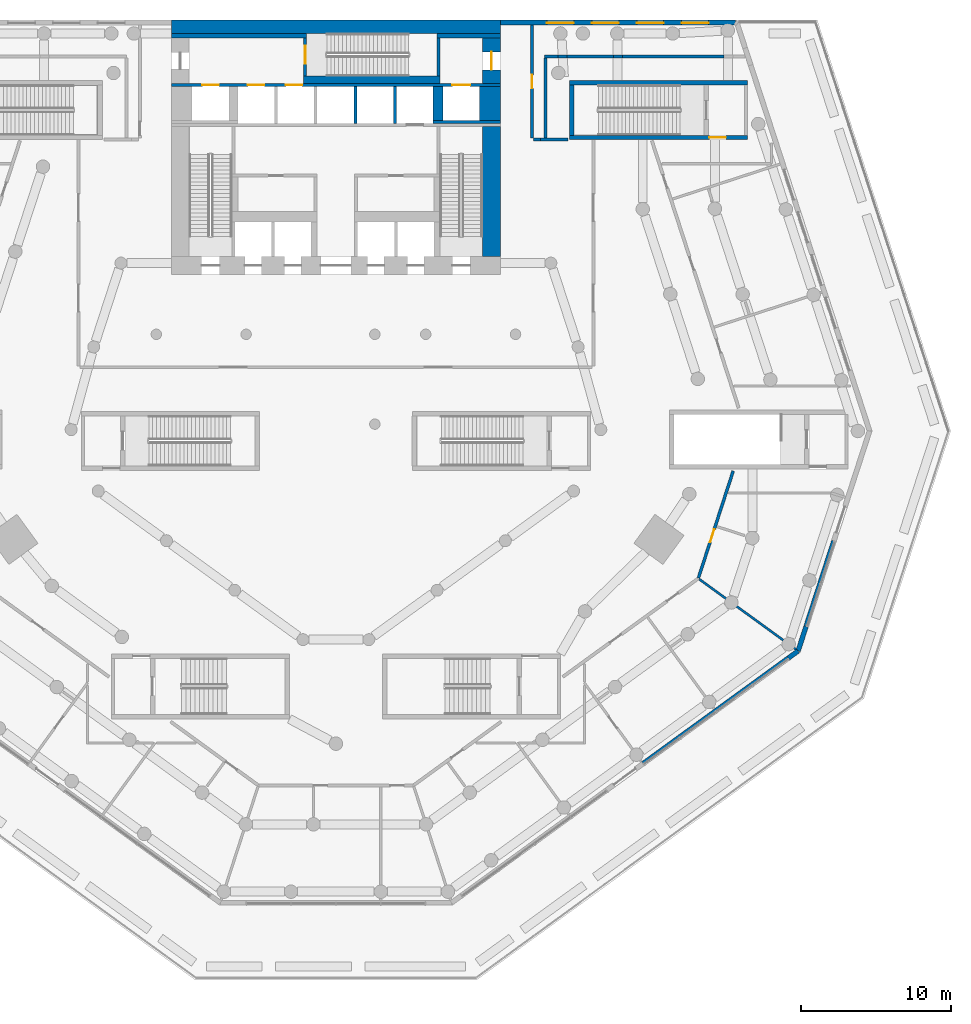
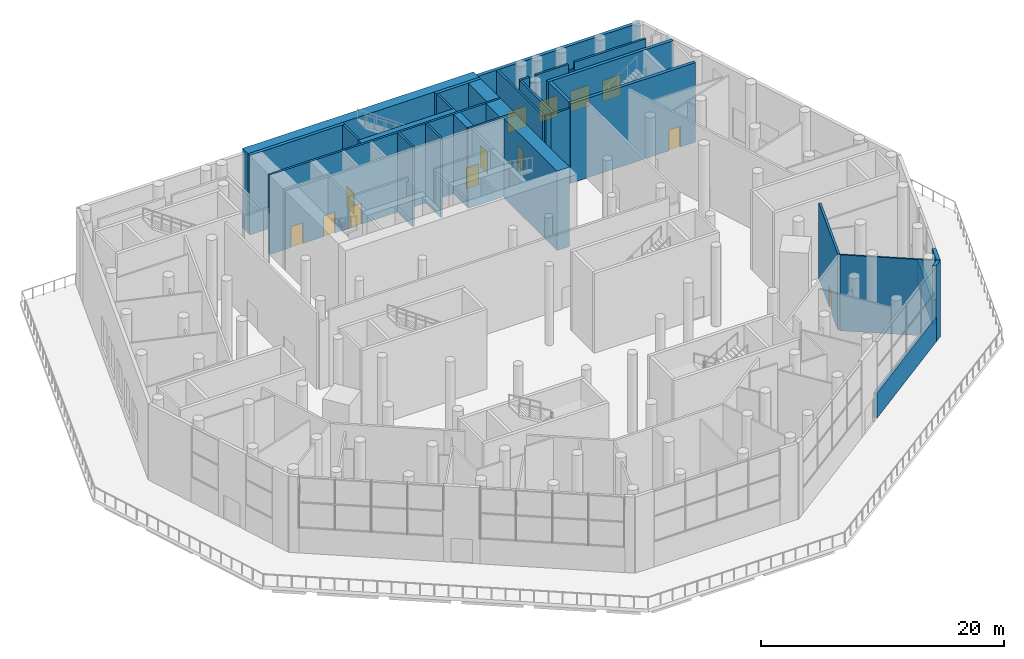
# One storey, part 15 of 23: 33 walls, 9 doors, 4 windows, 13 openings.
"""IFC4 building model written with IfcOpenShell, lengths in metres."""

from ifc_helpers import new_model, si_unit, direction, frame, frame_2d, origin, place, context, subcontext, project, spatial, rectangle, extrude, material, layer, layer_set, type_object, element, fill, save


model = new_model("IFC4")

# Units and contexts
model_context = context("Model", 3, precision=1e-05, world=origin(), true_north=direction((0.0, 1.0)))
body_context = subcontext(model_context, "Body", "Model", "MODEL_VIEW")
ifc_project = project(units=[si_unit("LENGTHUNIT", "METRE"), si_unit("AREAUNIT", "SQUARE_METRE"), si_unit("VOLUMEUNIT", "CUBIC_METRE"), si_unit("PLANEANGLEUNIT", "RADIAN"), si_unit("MASSUNIT", "GRAM", prefix="KILO")], contexts=[model_context])

# Site, building, storey
site_placement = place(None, origin())
site = spatial("IfcSite", under=ifc_project, at=site_placement, CompositionType="ELEMENT")
building_placement = place(site_placement, origin())
building = spatial("IfcBuilding", under=site, at=building_placement, Name="White Candle Pilgrim Tower", CompositionType="ELEMENT")
storey_placement = place(building_placement, frame((0.0, 0.0, 15.0)))
storey = spatial("IfcBuildingStorey", under=building, at=storey_placement, Name="L02", CompositionType="ELEMENT", Elevation=15.0)

# Walls
ifc_material_1 = material(Name="Autoclaved aerated block D500, plastered")
ifc_layer_1 = layer(ifc_material_1, 0.199951171875)
ifc_layer_set_1 = layer_set([ifc_layer_1], Name="Compartment wall 200 mm REI 240")
wall_type_1 = type_object("IfcWallType", Name="Compartment wall 200 mm REI 240", PredefinedType="PARTITIONING", material=ifc_layer_set_1)
wall_1_placement = place(storey_placement, frame((83.6669921875, 80.0, 0.0), z_axis=(0.0, 0.0, 1.0), x_axis=(1.0, 0.0, 0.0)))
element("IfcWall", 1, at=wall_1_placement, inside=storey, type_object=wall_type_1, Name="WL-L02-P067", PredefinedType="PARTITIONING", context=body_context, shape_type="SweptSolid", body=[
    extrude(rectangle(XDim=1.833984375, YDim=0.199951171875, at=frame_2d((0.9169921875, 0.0))), origin(), (0.0, 0.0, 1.0), 7.64990234375),
])
wall_2_placement = place(storey_placement, frame((95.92822265625, 85.550048828125, 0.0), z_axis=(0.0, 0.0, 1.0), x_axis=(-1.0, 0.0, 0.0)))
element("IfcWall", 2, at=wall_2_placement, inside=storey, type_object=wall_type_1, Name="WL-L02-P056b", PredefinedType="PARTITIONING", context=body_context, shape_type="SweptSolid", body=[
    extrude(rectangle(XDim=6.793212890625, YDim=0.199951171875, at=frame_2d((3.396484375, 0.0))), origin(), (0.0, 0.0, 1.0), 7.64990234375),
])
wall_3_placement = place(storey_placement, frame((89.135009765625, 85.550048828125, 0.0), z_axis=(0.0, 0.0, 1.0), x_axis=(-1.0, 0.0, 0.0)))
element("IfcWall", 3, at=wall_3_placement, inside=storey, type_object=wall_type_1, Name="WL-L02-P056c", PredefinedType="PARTITIONING", context=body_context, shape_type="SweptSolid", body=[
    extrude(rectangle(XDim=0.599609375, YDim=0.199951171875, at=frame_2d((0.2998046875, 0.0))), origin(), (0.0, 0.0, 1.0), 6.949951171875),
])
wall_4_placement = place(storey_placement, frame((88.535400390625, 85.550048828125, 0.0), z_axis=(0.0, 0.0, 1.0), x_axis=(-1.0, 0.0, 0.0)))
element("IfcWall", 4, at=wall_4_placement, inside=storey, type_object=wall_type_1, Name="WL-L02-P056d", PredefinedType="PARTITIONING", context=body_context, shape_type="SweptSolid", body=[
    extrude(rectangle(XDim=3.096923828125, YDim=0.199951171875, at=frame_2d((1.54833984375, 0.0))), origin(), (0.0, 0.0, 1.0), 7.64990234375),
])
wall_5_placement = place(storey_placement, frame((85.4384765625, 85.550048828125, 0.0), z_axis=(0.0, 0.0, 1.0), x_axis=(-1.0, 0.0, 0.0)))
element("IfcWall", 5, at=wall_5_placement, inside=storey, type_object=wall_type_1, Name="WL-L02-P056e", PredefinedType="PARTITIONING", context=body_context, shape_type="SweptSolid", body=[
    extrude(rectangle(XDim=0.599365234375, YDim=0.199951171875, at=frame_2d((0.2998046875, 0.0))), origin(), (0.0, 0.0, 1.0), 6.949951171875),
])
wall_6_placement = place(storey_placement, frame((84.839111328125, 85.550048828125, 0.0), z_axis=(0.0, 0.0, 1.0), x_axis=(-1.0, 0.0, 0.0)))
element("IfcWall", 6, at=wall_6_placement, inside=storey, type_object=wall_type_1, Name="WL-L02-P056f", PredefinedType="PARTITIONING", context=body_context, shape_type="SweptSolid", body=[
    extrude(rectangle(XDim=0.899169921875, YDim=0.199951171875, at=frame_2d((0.44970703125, 0.0))), origin(), (0.0, 0.0, 1.0), 7.64990234375),
])
wall_7_placement = place(storey_placement, frame((84.0, 85.449951171875, 0.0), z_axis=(0.0, 0.0, 1.0), x_axis=(0.0, -1.0, 0.0)))
element("IfcWall", 7, at=wall_7_placement, inside=storey, type_object=wall_type_1, Name="WL-L02-P057", PredefinedType="PARTITIONING", context=body_context, shape_type="SweptSolid", body=[
    extrude(rectangle(XDim=5.349853515625, YDim=0.199951171875, at=frame_2d((2.6748046875, 0.0))), origin(), (0.0, 0.0, 1.0), 7.64990234375),
])

# Wall, opening, door
ifc_material_2 = material(Name="Concrete C70/85", Category="concrete")
ifc_layer_2 = layer(ifc_material_2, 1.199951171875)
ifc_layer_set_2 = layer_set([ifc_layer_2], Name="Core wall 1200 mm Concrete C70/85")
wall_type_2 = type_object("IfcWallType", Name="Core wall 1200 mm Concrete C70/85", PredefinedType="SHEAR", material=ifc_layer_set_2)
wall_8_placement = place(storey_placement, frame((80.39990234375, 83.75, 0.0), z_axis=(0.0, 0.0, 1.0), x_axis=(0.0, 1.0, 0.0)))
wall_8 = element("IfcWall", 8, at=wall_8_placement, inside=storey, type_object=wall_type_2, Name="WL-L02-C74", PredefinedType="SHEAR", context=body_context, shape_type="SweptSolid", body=[
    extrude(rectangle(XDim=3.050048828125, YDim=1.199951171875, at=frame_2d((1.52490234375, 0.0))), origin(), (0.0, 0.0, 1.0), 8.0),
])
opening_1_placement = place(wall_8_placement, frame((0.925048828125, 0.0, 0.0)))
opening_1 = element("IfcOpeningElement", 9, at=opening_1_placement, cuts=wall_8, Name="Opening L02-006", PredefinedType="OPENING", context=body_context, shape_type="SweptSolid", body=[
    extrude(rectangle(XDim=1.199951171875, YDim=2.10009765625, at=frame_2d((0.60009765625, 1.050048828125))), frame((0.0, 0.60986328125, 0.0), z_axis=(0.0, -1.0, 0.0), x_axis=(1.0, 0.0, 0.0)), (0.0, 0.0, 1.0), 1.219970703125),
])
ifc_material_3 = material(Name="Steel door leaf", Category="steel")
door_type_1 = type_object("IfcDoorType", Name="Fire door 1200 x 2100 EI 30", OperationType="NOTDEFINED", PredefinedType="DOOR", material=ifc_material_3)
door_1_placement = place(opening_1_placement, origin())
door_1 = element("IfcDoor", 10, at=door_1_placement, inside=storey, type_object=door_type_1, Name="Door L02-006", OperationType="SINGLE_SWING_RIGHT", OverallHeight=2.10009765625, OverallWidth=1.199951171875, PredefinedType="DOOR", context=body_context, shape_type="SweptSolid", body=[
    extrude(rectangle(XDim=1.199951171875, YDim=2.10009765625, at=frame_2d((0.60009765625, 1.050048828125))), frame((0.0, 0.02490234375, 0.0), z_axis=(0.0, -1.0, 0.0), x_axis=(1.0, 0.0, 0.0)), (0.0, 0.0, 1.0), 0.050048828125),
])
fill(opening_1, door_1)

# Walls
ifc_layer_3 = layer(ifc_material_2, 1.39990234375)
ifc_layer_set_3 = layer_set([ifc_layer_3], Name="Core wall 1400 mm Concrete C70/85")
wall_type_3 = type_object("IfcWallType", Name="Core wall 1400 mm Concrete C70/85", PredefinedType="SHEAR", material=ifc_layer_set_3)
wall_9_placement = place(storey_placement, frame((80.300048828125, 81.300048828125, 0.0), z_axis=(0.0, 0.0, 1.0), x_axis=(0.0, 1.0, 0.0)))
element("IfcWall", 11, at=wall_9_placement, inside=storey, type_object=wall_type_3, Name="WL-L02-C68", PredefinedType="SHEAR", context=body_context, shape_type="SweptSolid", body=[
    extrude(rectangle(XDim=2.25, YDim=1.39990234375, at=frame_2d((1.125, 0.0))), origin(), (0.0, 0.0, 1.0), 8.0),
])
ifc_layer_4 = layer(ifc_material_2, 0.199951171875)
ifc_layer_set_4 = layer_set([ifc_layer_4], Name="Core wall 200 mm Concrete C70/85")
wall_type_4 = type_object("IfcWallType", Name="Core wall 200 mm Concrete C70/85", PredefinedType="SHEAR", material=ifc_layer_set_4)
wall_10_placement = place(storey_placement, frame((76.5, 81.199951171875, 0.0), z_axis=(0.0, 0.0, 1.0), x_axis=(1.0, 0.0, 0.0)))
element("IfcWall", 12, at=wall_10_placement, inside=storey, type_object=wall_type_4, Name="WL-L02-C64", PredefinedType="SHEAR", context=body_context, shape_type="SweptSolid", body=[
    extrude(rectangle(XDim=4.5, YDim=0.199951171875, at=frame_2d((2.25, 0.0))), origin(), (0.0, 0.0, 1.0), 8.0),
])

# Wall, openings, doors
wall_11_placement = place(storey_placement, frame((59.0, 83.64990234375, 0.0), z_axis=(0.0, 0.0, 1.0), x_axis=(1.0, 0.0, 0.0)))
wall_11 = element("IfcWall", 13, at=wall_11_placement, inside=storey, type_object=wall_type_4, Name="WL-L02-C69", PredefinedType="SHEAR", context=body_context, shape_type="SweptSolid", body=[
    extrude(rectangle(XDim=22.0, YDim=0.199951171875, at=frame_2d((11.0, 0.0))), origin(), (0.0, 0.0, 1.0), 8.0),
])
opening_2_placement = place(wall_11_placement, frame((5.125, 0.0, 0.0)))
opening_2 = element("IfcOpeningElement", 14, at=opening_2_placement, cuts=wall_11, Name="Opening L02-023", PredefinedType="OPENING", context=body_context, shape_type="SweptSolid", body=[
    extrude(rectangle(XDim=1.10009765625, YDim=2.10009765625, at=frame_2d((0.550048828125, 1.050048828125))), frame((0.0, 0.10986328125, 0.0), z_axis=(0.0, -1.0, 0.0), x_axis=(1.0, 0.0, 0.0)), (0.0, 0.0, 1.0), 0.219970703125),
])
opening_3_placement = place(wall_11_placement, frame((7.64990234375, 0.0, 0.0)))
opening_3 = element("IfcOpeningElement", 15, at=opening_3_placement, cuts=wall_11, Name="Opening L02-024", PredefinedType="OPENING", context=body_context, shape_type="SweptSolid", body=[
    extrude(rectangle(XDim=1.10009765625, YDim=2.10009765625, at=frame_2d((0.550048828125, 1.050048828125))), frame((0.0, 0.10986328125, 0.0), z_axis=(0.0, -1.0, 0.0), x_axis=(1.0, 0.0, 0.0)), (0.0, 0.0, 1.0), 0.219970703125),
])
opening_4_placement = place(wall_11_placement, frame((18.77490234375, 0.0, 0.0)))
opening_4 = element("IfcOpeningElement", 16, at=opening_4_placement, cuts=wall_11, Name="Opening L02-030", PredefinedType="OPENING", context=body_context, shape_type="SweptSolid", body=[
    extrude(rectangle(XDim=1.199951171875, YDim=2.10009765625, at=frame_2d((0.60009765625, 1.050048828125))), frame((0.0, 0.10986328125, 0.0), z_axis=(0.0, -1.0, 0.0), x_axis=(1.0, 0.0, 0.0)), (0.0, 0.0, 1.0), 0.219970703125),
])
opening_5_placement = place(wall_11_placement, frame((2.074951171875, 0.0, 0.0)))
opening_5 = element("IfcOpeningElement", 17, at=opening_5_placement, cuts=wall_11, Name="Opening L02-031", PredefinedType="OPENING", context=body_context, shape_type="SweptSolid", body=[
    extrude(rectangle(XDim=1.10009765625, YDim=2.10009765625, at=frame_2d((0.550048828125, 1.050048828125))), frame((0.0, 0.10986328125, 0.0), z_axis=(0.0, -1.0, 0.0), x_axis=(1.0, 0.0, 0.0)), (0.0, 0.0, 1.0), 0.219970703125),
])
ifc_material_4 = material(Name="Stainless steel", Category="steel")
door_type_2 = type_object("IfcDoorType", Name="Lift landing door 1100 x 2100 EI 60", OperationType="DOUBLE_DOOR_SLIDING", PredefinedType="DOOR", material=ifc_material_4)
door_2_placement = place(opening_2_placement, origin())
door_2 = element("IfcDoor", 18, at=door_2_placement, inside=storey, type_object=door_type_2, Name="Door L02-023", OperationType="DOUBLE_DOOR_SLIDING", OverallHeight=2.10009765625, OverallWidth=1.10009765625, PredefinedType="DOOR", context=body_context, shape_type="SweptSolid", body=[
    extrude(rectangle(XDim=1.10009765625, YDim=2.10009765625, at=frame_2d((0.550048828125, 1.050048828125))), frame((0.0, 0.02490234375, 0.0), z_axis=(0.0, -1.0, 0.0), x_axis=(1.0, 0.0, 0.0)), (0.0, 0.0, 1.0), 0.050048828125),
])
fill(opening_2, door_2)
door_3_placement = place(opening_3_placement, origin())
door_3 = element("IfcDoor", 19, at=door_3_placement, inside=storey, type_object=door_type_2, Name="Door L02-024", OperationType="DOUBLE_DOOR_SLIDING", OverallHeight=2.10009765625, OverallWidth=1.10009765625, PredefinedType="DOOR", context=body_context, shape_type="SweptSolid", body=[
    extrude(rectangle(XDim=1.10009765625, YDim=2.10009765625, at=frame_2d((0.550048828125, 1.050048828125))), frame((0.0, 0.02490234375, 0.0), z_axis=(0.0, -1.0, 0.0), x_axis=(1.0, 0.0, 0.0)), (0.0, 0.0, 1.0), 0.050048828125),
])
fill(opening_3, door_3)
door_4_placement = place(opening_5_placement, origin())
door_4 = element("IfcDoor", 20, at=door_4_placement, inside=storey, type_object=door_type_2, Name="Door L02-031", OperationType="DOUBLE_DOOR_SLIDING", OverallHeight=2.10009765625, OverallWidth=1.10009765625, PredefinedType="DOOR", context=body_context, shape_type="SweptSolid", body=[
    extrude(rectangle(XDim=1.10009765625, YDim=2.10009765625, at=frame_2d((0.550048828125, 1.050048828125))), frame((0.0, 0.02490234375, 0.0), z_axis=(0.0, -1.0, 0.0), x_axis=(1.0, 0.0, 0.0)), (0.0, 0.0, 1.0), 0.050048828125),
])
fill(opening_5, door_4)
door_type_3 = type_object("IfcDoorType", Name="Lift landing door 1200 x 2100 E 60", OperationType="DOUBLE_DOOR_SLIDING", PredefinedType="DOOR", material=ifc_material_4)
door_5_placement = place(opening_4_placement, origin())
door_5 = element("IfcDoor", 21, at=door_5_placement, inside=storey, type_object=door_type_3, Name="Door L02-030", OperationType="DOUBLE_DOOR_SLIDING", OverallHeight=2.10009765625, OverallWidth=1.199951171875, PredefinedType="DOOR", context=body_context, shape_type="SweptSolid", body=[
    extrude(rectangle(XDim=1.199951171875, YDim=2.10009765625, at=frame_2d((0.60009765625, 1.050048828125))), frame((0.0, 0.02490234375, 0.0), z_axis=(0.0, -1.0, 0.0), x_axis=(1.0, 0.0, 0.0)), (0.0, 0.0, 1.0), 0.050048828125),
])
fill(opening_4, door_5)

# Wall, opening, door
ifc_material_5 = material(Name="Gypsum board on steel studs", Category="steel")
ifc_layer_5 = layer(ifc_material_5, 0.199951171875)
ifc_layer_set_5 = layer_set([ifc_layer_5], Name="Corridor wall 200 mm EI 45")
wall_type_5 = type_object("IfcWallType", Name="Corridor wall 200 mm EI 45", PredefinedType="PARTITIONING", material=ifc_layer_set_5)
wall_12_placement = place(storey_placement, frame((83.10009765625, 87.679931640625, 0.0), z_axis=(0.0, 0.0, 1.0), x_axis=(0.0, -1.0, 0.0)))
wall_12 = element("IfcWall", 22, at=wall_12_placement, inside=storey, type_object=wall_type_5, Name="WL-L02-P007", PredefinedType="PARTITIONING", context=body_context, shape_type="SweptSolid", body=[
    extrude(rectangle(XDim=7.579833984375, YDim=0.199951171875, at=frame_2d((3.7900390625, 0.0))), origin(), (0.0, 0.0, 1.0), 7.64990234375),
])
opening_6_placement = place(wall_12_placement, frame((3.340087890625, 0.0, 0.0)))
opening_6 = element("IfcOpeningElement", 23, at=opening_6_placement, cuts=wall_12, Name="Opening L02-126", PredefinedType="OPENING", context=body_context, shape_type="SweptSolid", body=[
    extrude(rectangle(XDim=0.89990234375, YDim=2.10009765625, at=frame_2d((0.449951171875, 1.050048828125))), frame((0.0, 0.10986328125, 0.0), z_axis=(0.0, -1.0, 0.0), x_axis=(1.0, 0.0, 0.0)), (0.0, 0.0, 1.0), 0.219970703125),
])
door_type_4 = type_object("IfcDoorType", Name="Fire door 900 x 2100 EI 30", OperationType="NOTDEFINED", PredefinedType="DOOR", material=ifc_material_3)
door_6_placement = place(opening_6_placement, origin())
door_6 = element("IfcDoor", 24, at=door_6_placement, inside=storey, type_object=door_type_4, Name="Door L02-126", OperationType="SINGLE_SWING_RIGHT", OverallHeight=2.10009765625, OverallWidth=0.89990234375, PredefinedType="DOOR", context=body_context, shape_type="SweptSolid", body=[
    extrude(rectangle(XDim=0.89990234375, YDim=2.10009765625, at=frame_2d((0.449951171875, 1.050048828125))), frame((0.0, 0.02490234375, 0.0), z_axis=(0.0, -1.0, 0.0), x_axis=(1.0, 0.0, 0.0)), (0.0, 0.0, 1.0), 0.050048828125),
])
fill(opening_6, door_6)

# Walls
wall_13_placement = place(storey_placement, frame((83.199951171875, 80.0, 0.0), z_axis=(0.0, 0.0, 1.0), x_axis=(1.0, 0.0, 0.0)))
element("IfcWall", 25, at=wall_13_placement, inside=storey, type_object=wall_type_5, Name="WL-L02-P008", PredefinedType="PARTITIONING", context=body_context, shape_type="SweptSolid", body=[
    extrude(rectangle(XDim=0.467041015625, YDim=0.199951171875, at=frame_2d((0.2333984375, 0.0))), origin(), (0.0, 0.0, 1.0), 7.64990234375),
])
ifc_material_6 = material(Name="Precast concrete C40/50", Category="concrete")
ifc_layer_6 = layer(ifc_material_6, 0.320068359375)
ifc_layer_set_6 = layer_set([ifc_layer_6], Name="Facade wall EW3 precast concrete C40/50 and stone-faced podium wall")
wall_type_6 = type_object("IfcWallType", Name="Facade wall EW3 precast concrete C40/50 and stone-faced podium wall", PredefinedType="SOLIDWALL", material=ifc_layer_set_6)
wall_14_placement = place(storey_placement, frame((90.516357421875, 38.3134765625, 0.0), z_axis=(0.0, 0.0, 1.0), x_axis=(0.809016642472, 0.587785736645, 0.0)))
element("IfcWall", 26, at=wall_14_placement, inside=storey, type_object=wall_type_6, Name="Sill wall L02 SE", PredefinedType="SOLIDWALL", context=body_context, shape_type="SweptSolid", body=[
    extrude(rectangle(XDim=12.0, YDim=0.320068359375, at=frame_2d((6.0, 0.0))), origin(), (0.0, 0.0, 1.0), 2.5),
])
wall_15_placement = place(storey_placement, frame((100.224609375, 45.366943359375, 0.0), z_axis=(0.0, 0.0, 1.0), x_axis=(0.808957761835, 0.587866770252, 0.0)))
element("IfcWall", 27, at=wall_15_placement, inside=storey, type_object=wall_type_6, Name="Facade wall L02 SE", PredefinedType="SOLIDWALL", context=body_context, shape_type="SweptSolid", body=[
    extrude(rectangle(XDim=0.809326171875, YDim=0.320068359375, at=frame_2d((0.40478515625, 0.0))), origin(), (0.0, 0.0, 1.0), 7.64990234375),
])
wall_16_placement = place(storey_placement, frame((100.87939453125, 45.8427734375, 0.0), z_axis=(0.0, 0.0, 1.0), x_axis=(0.309006126888, 0.951060047287, 0.0)))
element("IfcWall", 28, at=wall_16_placement, inside=storey, type_object=wall_type_6, Name="Facade wall L02 E chamfer", PredefinedType="SOLIDWALL", context=body_context, shape_type="SweptSolid", body=[
    extrude(rectangle(XDim=1.726318359375, YDim=0.320068359375, at=frame_2d((0.86328125, 0.0))), origin(), (0.0, 0.0, 1.0), 7.64990234375),
])
wall_17_placement = place(storey_placement, frame((101.412841796875, 47.484619140625, 0.0), z_axis=(0.0, 0.0, 1.0), x_axis=(0.309004184009, 0.95106067854, 0.0)))
element("IfcWall", 29, at=wall_17_placement, inside=storey, type_object=wall_type_6, Name="Sill wall L02 E chamfer", PredefinedType="SOLIDWALL", context=body_context, shape_type="SweptSolid", body=[
    extrude(rectangle(XDim=6.0, YDim=0.320068359375, at=frame_2d((3.0, 0.0))), origin(), (0.0, 0.0, 1.0), 2.5),
])

# Wall, openings, windows
wall_18_placement = place(storey_placement, frame((96.69677734375, 87.840087890625, 0.0), z_axis=(0.0, 0.0, 1.0), x_axis=(-1.0, 0.0, 0.0)))
wall_18 = element("IfcWall", 30, at=wall_18_placement, inside=storey, type_object=wall_type_6, Name="Facade wall L02 N", PredefinedType="SOLIDWALL", context=body_context, shape_type="SweptSolid", body=[
    extrude(rectangle(XDim=15.69677734375, YDim=0.320068359375, at=frame_2d((7.848388671875, 0.0))), origin(), (0.0, 0.0, 1.0), 7.64990234375),
])
opening_7_placement = place(wall_18_placement, frame((1.796630859375, 0.0, 0.89990234375)))
opening_7 = element("IfcOpeningElement", 31, at=opening_7_placement, cuts=wall_18, Name="Opening W8", PredefinedType="OPENING", context=body_context, shape_type="SweptSolid", body=[
    extrude(rectangle(XDim=1.800048828125, YDim=2.10009765625, at=frame_2d((0.89990234375, 1.050048828125))), frame((0.0, 0.169921875, 0.0), z_axis=(0.0, -1.0, 0.0), x_axis=(1.0, 0.0, 0.0)), (0.0, 0.0, 1.0), 0.340087890625),
])
opening_8_placement = place(wall_18_placement, frame((4.796630859375, 0.0, 0.89990234375)))
opening_8 = element("IfcOpeningElement", 32, at=opening_8_placement, cuts=wall_18, Name="Opening W8", PredefinedType="OPENING", context=body_context, shape_type="SweptSolid", body=[
    extrude(rectangle(XDim=1.800048828125, YDim=2.10009765625, at=frame_2d((0.89990234375, 1.050048828125))), frame((0.0, 0.169921875, 0.0), z_axis=(0.0, -1.0, 0.0), x_axis=(1.0, 0.0, 0.0)), (0.0, 0.0, 1.0), 0.340087890625),
])
opening_9_placement = place(wall_18_placement, frame((7.796630859375, 0.0, 0.89990234375)))
opening_9 = element("IfcOpeningElement", 33, at=opening_9_placement, cuts=wall_18, Name="Opening W8", PredefinedType="OPENING", context=body_context, shape_type="SweptSolid", body=[
    extrude(rectangle(XDim=1.800048828125, YDim=2.10009765625, at=frame_2d((0.89990234375, 1.050048828125))), frame((0.0, 0.169921875, 0.0), z_axis=(0.0, -1.0, 0.0), x_axis=(1.0, 0.0, 0.0)), (0.0, 0.0, 1.0), 0.340087890625),
])
opening_10_placement = place(wall_18_placement, frame((10.796630859375, 0.0, 0.89990234375)))
opening_10 = element("IfcOpeningElement", 34, at=opening_10_placement, cuts=wall_18, Name="Opening W8", PredefinedType="OPENING", context=body_context, shape_type="SweptSolid", body=[
    extrude(rectangle(XDim=1.800048828125, YDim=2.10009765625, at=frame_2d((0.89990234375, 1.050048828125))), frame((0.0, 0.169921875, 0.0), z_axis=(0.0, -1.0, 0.0), x_axis=(1.0, 0.0, 0.0)), (0.0, 0.0, 1.0), 0.340087890625),
])
ifc_material_7 = material(Name="Timber frame with triple glazing", Category="wood")
window_type = type_object("IfcWindowType", Name="Window W8 1800x2100 timber frame triple glazing", PartitioningType="SINGLE_PANEL", PredefinedType="WINDOW", material=ifc_material_7)
window_1_placement = place(opening_7_placement, origin())
window_1 = element("IfcWindow", 35, at=window_1_placement, inside=storey, type_object=window_type, Name="Window W8 L02 N 1", OverallHeight=2.10009765625, OverallWidth=1.800048828125, PartitioningType="SINGLE_PANEL", PredefinedType="WINDOW", context=body_context, shape_type="SweptSolid", body=[
    extrude(rectangle(XDim=1.800048828125, YDim=2.10009765625, at=frame_2d((0.89990234375, 1.050048828125))), frame((0.0, 0.070068359375, 0.0), z_axis=(0.0, -1.0, 0.0), x_axis=(1.0, 0.0, 0.0)), (0.0, 0.0, 1.0), 0.06005859375),
])
fill(opening_7, window_1)
window_2_placement = place(opening_8_placement, origin())
window_2 = element("IfcWindow", 36, at=window_2_placement, inside=storey, type_object=window_type, Name="Window W8 L02 N 2", OverallHeight=2.10009765625, OverallWidth=1.800048828125, PartitioningType="SINGLE_PANEL", PredefinedType="WINDOW", context=body_context, shape_type="SweptSolid", body=[
    extrude(rectangle(XDim=1.800048828125, YDim=2.10009765625, at=frame_2d((0.89990234375, 1.050048828125))), frame((0.0, 0.070068359375, 0.0), z_axis=(0.0, -1.0, 0.0), x_axis=(1.0, 0.0, 0.0)), (0.0, 0.0, 1.0), 0.06005859375),
])
fill(opening_8, window_2)
window_3_placement = place(opening_9_placement, origin())
window_3 = element("IfcWindow", 37, at=window_3_placement, inside=storey, type_object=window_type, Name="Window W8 L02 N 3", OverallHeight=2.10009765625, OverallWidth=1.800048828125, PartitioningType="SINGLE_PANEL", PredefinedType="WINDOW", context=body_context, shape_type="SweptSolid", body=[
    extrude(rectangle(XDim=1.800048828125, YDim=2.10009765625, at=frame_2d((0.89990234375, 1.050048828125))), frame((0.0, 0.070068359375, 0.0), z_axis=(0.0, -1.0, 0.0), x_axis=(1.0, 0.0, 0.0)), (0.0, 0.0, 1.0), 0.06005859375),
])
fill(opening_9, window_3)
window_4_placement = place(opening_10_placement, origin())
window_4 = element("IfcWindow", 38, at=window_4_placement, inside=storey, type_object=window_type, Name="Window W8 L02 N 4", OverallHeight=2.10009765625, OverallWidth=1.800048828125, PartitioningType="SINGLE_PANEL", PredefinedType="WINDOW", context=body_context, shape_type="SweptSolid", body=[
    extrude(rectangle(XDim=1.800048828125, YDim=2.10009765625, at=frame_2d((0.89990234375, 1.050048828125))), frame((0.0, 0.070068359375, 0.0), z_axis=(0.0, -1.0, 0.0), x_axis=(1.0, 0.0, 0.0)), (0.0, 0.0, 1.0), 0.06005859375),
])
fill(opening_10, window_4)

# Wall, opening, door
ifc_layer_7 = layer(ifc_material_1, 0.199951171875)
ifc_layer_set_7 = layer_set([ifc_layer_7], Name="Hall enclosure wall 200 mm REI 240")
wall_type_7 = type_object("IfcWallType", Name="Hall enclosure wall 200 mm REI 240", PredefinedType="PARTITIONING", material=ifc_layer_set_7)
wall_19_placement = place(storey_placement, frame((96.54345703125, 57.869140625, 0.0), z_axis=(0.0, 0.0, 1.0), x_axis=(-0.309019251854, -0.951055782793, 0.0)))
wall_19 = element("IfcWall", 39, at=wall_19_placement, inside=storey, type_object=wall_type_7, Name="WL-L02-P010", PredefinedType="PARTITIONING", context=body_context, shape_type="SweptSolid", body=[
    extrude(rectangle(XDim=7.51806640625, YDim=0.199951171875, at=frame_2d((3.759033203125, 0.0))), origin(), (0.0, 0.0, 1.0), 7.64990234375),
])
opening_11_placement = place(wall_19_placement, frame((4.09765625, 0.0, 0.0)))
opening_11 = element("IfcOpeningElement", 40, at=opening_11_placement, cuts=wall_19, Name="Opening L02-114", PredefinedType="OPENING", context=body_context, shape_type="SweptSolid", body=[
    extrude(rectangle(XDim=0.89990234375, YDim=2.10009765625, at=frame_2d((0.449951171875, 1.050048828125))), frame((0.0, 0.10986328125, 0.0), z_axis=(0.0, -1.0, 0.0), x_axis=(1.0, 0.0, 0.0)), (0.0, 0.0, 1.0), 0.219970703125),
])
door_type_5 = type_object("IfcDoorType", Name="Fire door 900 x 2100 EI 60", OperationType="NOTDEFINED", PredefinedType="DOOR", material=ifc_material_3)
door_7_placement = place(opening_11_placement, origin())
door_7 = element("IfcDoor", 41, at=door_7_placement, inside=storey, type_object=door_type_5, Name="Door L02-114", OperationType="SINGLE_SWING_RIGHT", OverallHeight=2.10009765625, OverallWidth=0.89990234375, PredefinedType="DOOR", context=body_context, shape_type="SweptSolid", body=[
    extrude(rectangle(XDim=0.89990234375, YDim=2.10009765625, at=frame_2d((0.449951171875, 1.050048828125))), frame((0.0, 0.02490234375, 0.0), z_axis=(0.0, -1.0, 0.0), x_axis=(1.0, 0.0, 0.0)), (0.0, 0.0, 1.0), 0.050048828125),
])
fill(opening_11, door_7)

# Walls
ifc_layer_8 = layer(ifc_material_5, 0.14990234375)
ifc_layer_set_8 = layer_set([ifc_layer_8], Name="Partition 150 mm EI 60")
wall_type_8 = type_object("IfcWallType", Name="Partition 150 mm EI 60", PredefinedType="PARTITIONING", material=ifc_layer_set_8)
wall_20_placement = place(storey_placement, frame((100.7431640625, 45.941650390625, 0.0), z_axis=(0.0, 0.0, 1.0), x_axis=(-0.80901214883, 0.587791921556, 0.0)))
element("IfcWall", 42, at=wall_20_placement, inside=storey, type_object=wall_type_8, Name="WL-L02-P017", PredefinedType="PARTITIONING", context=body_context, shape_type="SweptSolid", body=[
    extrude(rectangle(XDim=7.990234375, YDim=0.14990234375, at=frame_2d((3.9951171875, 0.0))), origin(), (0.0, 0.0, 1.0), 7.64990234375),
])
ifc_layer_9 = layer(ifc_material_2, 0.199951171875)
ifc_layer_set_9 = layer_set([ifc_layer_9], Name="Shaft wall 200 mm Concrete C70/85")
wall_type_9 = type_object("IfcWallType", Name="Shaft wall 200 mm Concrete C70/85", PredefinedType="SHEAR", material=ifc_layer_set_9)
for number, where, z_axis, x_axis, name in (
    (43, (71.300048828125, 81.10009765625, 0.0), (0.0, 0.0, 1.0), (0.0, 1.0, 0.0), "WL-L02-C62"),
    (44, (73.949951171875, 81.10009765625, 0.0), (0.0, 0.0, 1.0), (0.0, 1.0, 0.0), "WL-L02-C63"),
):
    element("IfcWall", number, at=place(storey_placement, frame(where, z_axis=z_axis, x_axis=x_axis)), inside=storey, type_object=wall_type_9, Name=name, PredefinedType="SHEAR", context=body_context, shape_type="SweptSolid", body=[
        extrude(rectangle(XDim=2.449951171875, YDim=0.199951171875, at=frame_2d((1.22509765625, 0.0))), origin(), (0.0, 0.0, 1.0), 8.0),
    ])
ifc_layer_10 = layer(ifc_material_2, 0.64990234375)
ifc_layer_set_10 = layer_set([ifc_layer_10], Name="Shaft wall 650 mm Concrete C70/85")
wall_type_10 = type_object("IfcWallType", Name="Shaft wall 650 mm Concrete C70/85", PredefinedType="SHEAR", material=ifc_layer_set_10)
wall_21_placement = place(storey_placement, frame((76.824951171875, 81.300048828125, 0.0), z_axis=(0.0, 0.0, 1.0), x_axis=(0.0, 1.0, 0.0)))
element("IfcWall", 45, at=wall_21_placement, inside=storey, type_object=wall_type_10, Name="WL-L02-C67", PredefinedType="SHEAR", context=body_context, shape_type="SweptSolid", body=[
    extrude(rectangle(XDim=2.25, YDim=0.64990234375, at=frame_2d((1.125, 0.0))), origin(), (0.0, 0.0, 1.0), 8.0),
])
ifc_layer_11 = layer(ifc_material_2, 1.199951171875)
ifc_layer_set_11 = layer_set([ifc_layer_11], Name="Stair shaft wall 1200 mm Concrete C70/85")
wall_type_11 = type_object("IfcWallType", Name="Stair shaft wall 1200 mm Concrete C70/85", PredefinedType="SHEAR", material=ifc_layer_set_11)
wall_22_placement = place(storey_placement, frame((80.39990234375, 72.199951171875, 0.0), z_axis=(0.0, 0.0, 1.0), x_axis=(0.0, 1.0, 0.0)))
element("IfcWall", 46, at=wall_22_placement, inside=storey, type_object=wall_type_11, Name="WL-L02-C39", PredefinedType="SHEAR", context=body_context, shape_type="SweptSolid", body=[
    extrude(rectangle(XDim=8.699951171875, YDim=1.199951171875, at=frame_2d((4.35009765625, 0.0))), origin(), (0.0, 0.0, 1.0), 8.0),
])

# Wall, opening, door
ifc_layer_12 = layer(ifc_material_2, 0.199951171875)
ifc_layer_set_12 = layer_set([ifc_layer_12], Name="Stair shaft wall 200 mm Concrete C70/85")
wall_type_12 = type_object("IfcWallType", Name="Stair shaft wall 200 mm Concrete C70/85", PredefinedType="SHEAR", material=ifc_layer_set_12)
wall_23_placement = place(storey_placement, frame((67.949951171875, 84.25, 0.0), z_axis=(0.0, 0.0, 1.0), x_axis=(0.0, 1.0, 0.0)))
wall_23 = element("IfcWall", 47, at=wall_23_placement, inside=storey, type_object=wall_type_12, Name="WL-L02-C75", PredefinedType="SHEAR", context=body_context, shape_type="SweptSolid", body=[
    extrude(rectangle(XDim=2.550048828125, YDim=0.199951171875, at=frame_2d((1.27490234375, 0.0))), origin(), (0.0, 0.0, 1.0), 8.0),
])
opening_12_placement = place(wall_23_placement, frame((0.824951171875, 0.0, 0.0)))
opening_12 = element("IfcOpeningElement", 48, at=opening_12_placement, cuts=wall_23, Name="Opening L02-003", PredefinedType="OPENING", context=body_context, shape_type="SweptSolid", body=[
    extrude(rectangle(XDim=1.199951171875, YDim=2.10009765625, at=frame_2d((0.60009765625, 1.050048828125))), frame((0.0, 0.10986328125, 0.0), z_axis=(0.0, -1.0, 0.0), x_axis=(1.0, 0.0, 0.0)), (0.0, 0.0, 1.0), 0.219970703125),
])
door_type_6 = type_object("IfcDoorType", Name="Fire door 1200 x 2100 EI 60", OperationType="NOTDEFINED", PredefinedType="DOOR", material=ifc_material_3)
door_8_placement = place(opening_12_placement, frame((1.199951171875, 0.0, 0.0), z_axis=(0.0, 0.0, 1.0), x_axis=(-1.0, 0.0, 0.0)))
door_8 = element("IfcDoor", 49, at=door_8_placement, inside=storey, type_object=door_type_6, Name="Door L02-003", OperationType="SINGLE_SWING_RIGHT", OverallHeight=2.10009765625, OverallWidth=1.199951171875, PredefinedType="DOOR", context=body_context, shape_type="SweptSolid", body=[
    extrude(rectangle(XDim=1.199951171875, YDim=2.10009765625, at=frame_2d((0.60009765625, 1.050048828125))), frame((0.0, 0.02490234375, 0.0), z_axis=(0.0, -1.0, 0.0), x_axis=(1.0, 0.0, 0.0)), (0.0, 0.0, 1.0), 0.050048828125),
])
fill(opening_12, door_8)

# Wall
wall_24_placement = place(storey_placement, frame((76.85009765625, 84.25, 0.0), z_axis=(0.0, 0.0, 1.0), x_axis=(0.0, 1.0, 0.0)))
element("IfcWall", 50, at=wall_24_placement, inside=storey, type_object=wall_type_12, Name="WL-L02-C76", PredefinedType="SHEAR", context=body_context, shape_type="SweptSolid", body=[
    extrude(rectangle(XDim=2.550048828125, YDim=0.199951171875, at=frame_2d((1.27490234375, 0.0))), origin(), (0.0, 0.0, 1.0), 8.0),
])

# Wall, opening, door
ifc_layer_13 = layer(ifc_material_2, 0.300048828125)
ifc_layer_set_13 = layer_set([ifc_layer_13], Name="Stair shaft wall 300 mm Concrete C70/85")
wall_type_13 = type_object("IfcWallType", Name="Stair shaft wall 300 mm Concrete C70/85", PredefinedType="SHEAR", material=ifc_layer_set_13)
wall_25_placement = place(storey_placement, frame((85.60009765625, 80.14990234375, 0.0), z_axis=(0.0, 0.0, 1.0), x_axis=(1.0, 0.0, 0.0)))
wall_25 = element("IfcWall", 51, at=wall_25_placement, inside=storey, type_object=wall_type_13, Name="WL-L02-C51", PredefinedType="SHEAR", context=body_context, shape_type="SweptSolid", body=[
    extrude(rectangle(XDim=11.89990234375, YDim=0.300048828125, at=frame_2d((5.949951171875, 0.0))), origin(), (0.0, 0.0, 1.0), 8.0),
])
opening_13_placement = place(wall_25_placement, frame((9.35009765625, 0.0, 0.0)))
opening_13 = element("IfcOpeningElement", 52, at=opening_13_placement, cuts=wall_25, Name="Opening L02-021", PredefinedType="OPENING", context=body_context, shape_type="SweptSolid", body=[
    extrude(rectangle(XDim=1.10009765625, YDim=2.10009765625, at=frame_2d((0.550048828125, 1.050048828125))), frame((0.0, 0.159912109375, 0.0), z_axis=(0.0, -1.0, 0.0), x_axis=(1.0, 0.0, 0.0)), (0.0, 0.0, 1.0), 0.320068359375),
])
door_type_7 = type_object("IfcDoorType", Name="Fire door 1100 x 2100 EI 60", OperationType="NOTDEFINED", PredefinedType="DOOR", material=ifc_material_3)
door_9_placement = place(opening_13_placement, origin())
door_9 = element("IfcDoor", 53, at=door_9_placement, inside=storey, type_object=door_type_7, Name="Door L02-021", OperationType="SINGLE_SWING_LEFT", OverallHeight=2.10009765625, OverallWidth=1.10009765625, PredefinedType="DOOR", context=body_context, shape_type="SweptSolid", body=[
    extrude(rectangle(XDim=1.10009765625, YDim=2.10009765625, at=frame_2d((0.550048828125, 1.050048828125))), frame((0.0, 0.02490234375, 0.0), z_axis=(0.0, -1.0, 0.0), x_axis=(1.0, 0.0, 0.0)), (0.0, 0.0, 1.0), 0.050048828125),
])
fill(opening_13, door_9)

# Walls
wall_26_placement = place(storey_placement, frame((85.75, 80.300048828125, 0.0), z_axis=(0.0, 0.0, 1.0), x_axis=(0.0, 1.0, 0.0)))
element("IfcWall", 54, at=wall_26_placement, inside=storey, type_object=wall_type_13, Name="WL-L02-C55", PredefinedType="SHEAR", context=body_context, shape_type="SweptSolid", body=[
    extrude(rectangle(XDim=3.349853515625, YDim=0.300048828125, at=frame_2d((1.6748046875, 0.0))), origin(), (0.0, 0.0, 1.0), 8.0),
])
wall_27_placement = place(storey_placement, frame((85.60009765625, 83.800048828125, 0.0), z_axis=(0.0, 0.0, 1.0), x_axis=(1.0, 0.0, 0.0)))
element("IfcWall", 55, at=wall_27_placement, inside=storey, type_object=wall_type_13, Name="WL-L02-C71", PredefinedType="SHEAR", context=body_context, shape_type="SweptSolid", body=[
    extrude(rectangle(XDim=11.89990234375, YDim=0.300048828125, at=frame_2d((5.949951171875, 0.0))), origin(), (0.0, 0.0, 1.0), 8.0),
])
wall_28_placement = place(storey_placement, frame((59.0, 86.949951171875, 0.0), z_axis=(0.0, 0.0, 1.0), x_axis=(1.0, 0.0, 0.0)))
element("IfcWall", 56, at=wall_28_placement, inside=storey, type_object=wall_type_13, Name="WL-L02-C77", PredefinedType="SHEAR", context=body_context, shape_type="SweptSolid", body=[
    extrude(rectangle(XDim=9.050048828125, YDim=0.300048828125, at=frame_2d((4.52490234375, 0.0))), origin(), (0.0, 0.0, 1.0), 8.0),
])
wall_29_placement = place(storey_placement, frame((76.75, 86.949951171875, 0.0), z_axis=(0.0, 0.0, 1.0), x_axis=(1.0, 0.0, 0.0)))
element("IfcWall", 57, at=wall_29_placement, inside=storey, type_object=wall_type_13, Name="WL-L02-C78", PredefinedType="SHEAR", context=body_context, shape_type="SweptSolid", body=[
    extrude(rectangle(XDim=4.25, YDim=0.300048828125, at=frame_2d((2.125, 0.0))), origin(), (0.0, 0.0, 1.0), 8.0),
])
ifc_layer_14 = layer(ifc_material_2, 0.5)
ifc_layer_set_14 = layer_set([ifc_layer_14], Name="Stair shaft wall 500 mm Concrete C70/85")
wall_type_14 = type_object("IfcWallType", Name="Stair shaft wall 500 mm Concrete C70/85", PredefinedType="SHEAR", material=ifc_layer_set_14)
wall_30_placement = place(storey_placement, frame((67.85009765625, 84.0, 0.0), z_axis=(0.0, 0.0, 1.0), x_axis=(1.0, 0.0, 0.0)))
element("IfcWall", 58, at=wall_30_placement, inside=storey, type_object=wall_type_14, Name="WL-L02-C73", PredefinedType="SHEAR", context=body_context, shape_type="SweptSolid", body=[
    extrude(rectangle(XDim=9.099853515625, YDim=0.5, at=frame_2d((4.5498046875, 0.0))), origin(), (0.0, 0.0, 1.0), 8.0),
])
ifc_layer_15 = layer(ifc_material_2, 0.89990234375)
ifc_layer_set_15 = layer_set([ifc_layer_15], Name="Stair shaft wall 900 mm Concrete C70/85")
wall_type_15 = type_object("IfcWallType", Name="Stair shaft wall 900 mm Concrete C70/85", PredefinedType="SHEAR", material=ifc_layer_set_15)
wall_31_placement = place(storey_placement, frame((59.0, 87.550048828125, 0.0), z_axis=(0.0, 0.0, 1.0), x_axis=(1.0, 0.0, 0.0)))
element("IfcWall", 59, at=wall_31_placement, inside=storey, type_object=wall_type_15, Name="WL-L02-C79", PredefinedType="SHEAR", context=body_context, shape_type="SweptSolid", body=[
    extrude(rectangle(XDim=22.0, YDim=0.89990234375, at=frame_2d((11.0, 0.0))), origin(), (0.0, 0.0, 1.0), 8.0),
])

save(model, "model.ifc")
